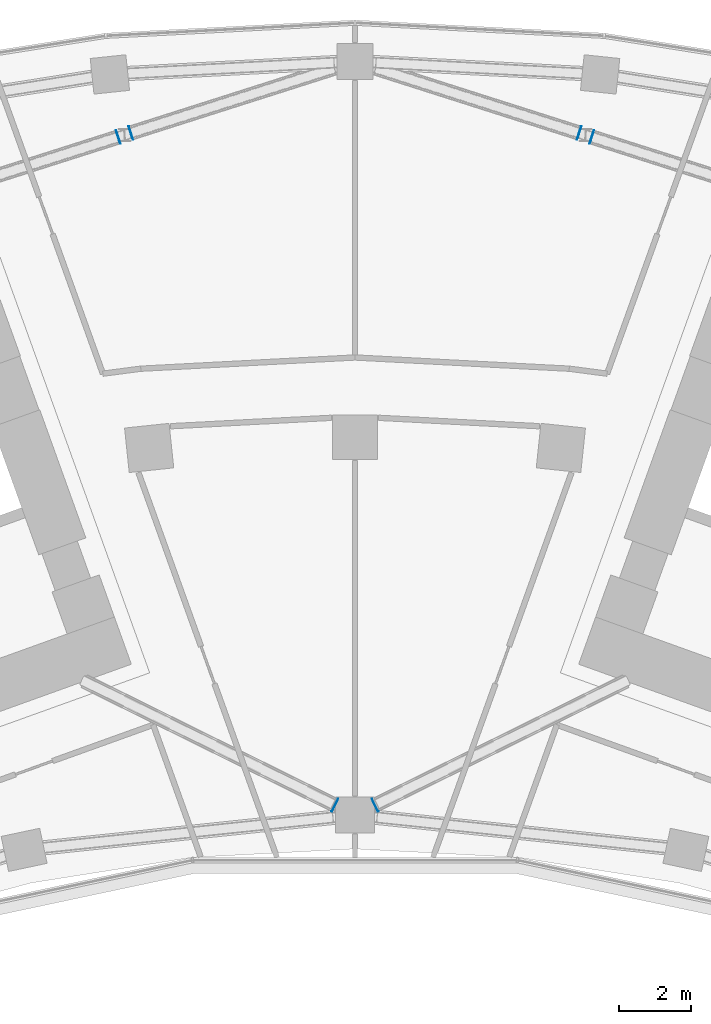
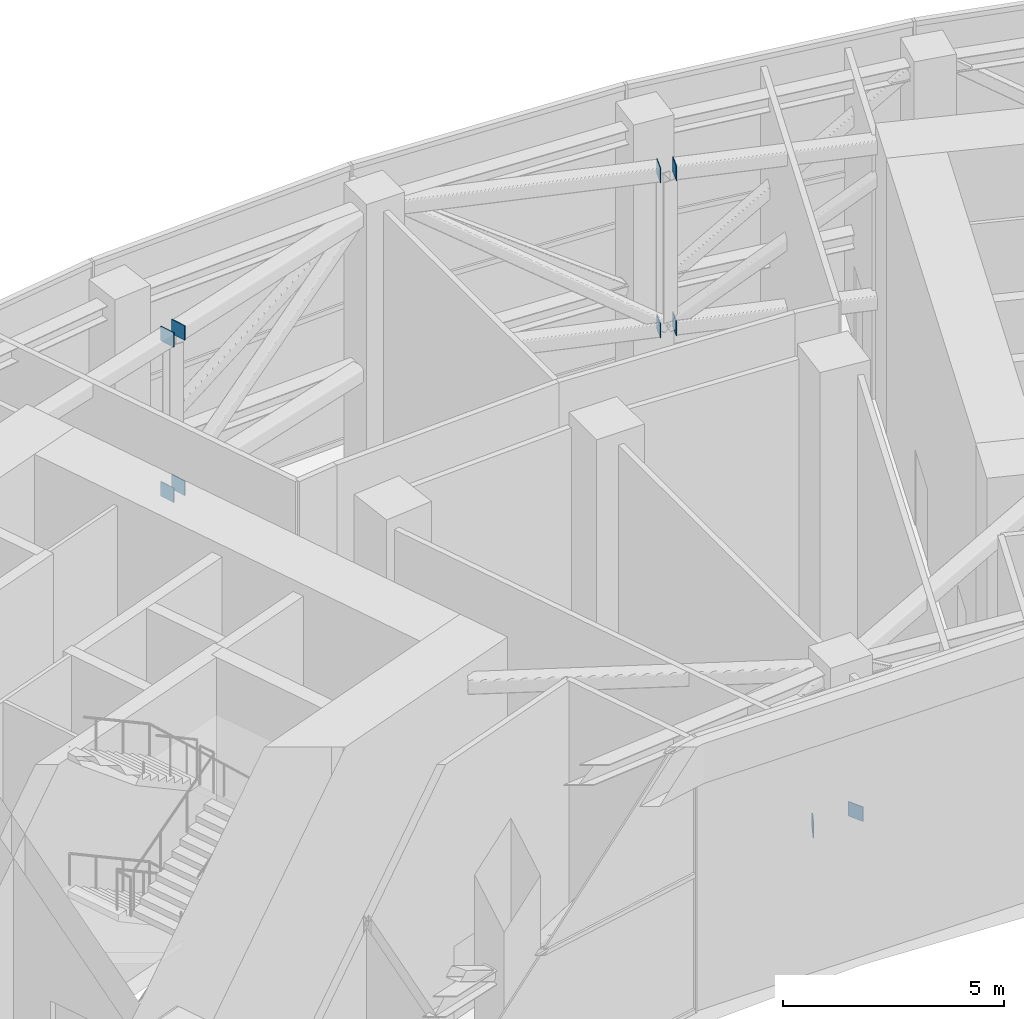
# One storey, part 21 of 32: 10 plates.
"""IFC4 building model written with IfcOpenShell, lengths in metres."""

from ifc_helpers import new_model, si_unit, direction, frame, origin, origin_2d, place, context, subcontext, project, spatial, rectangle, extrude, material, layer, layer_set, type_object, element, save


model = new_model("IFC4")

# Units and contexts
model_context = context("Model", 3, precision=1e-05, world=origin(), true_north=direction((0.0, 1.0)))
body_context = subcontext(model_context, "Body", "Model", "MODEL_VIEW")
ifc_project = project(units=[si_unit("LENGTHUNIT", "METRE"), si_unit("AREAUNIT", "SQUARE_METRE"), si_unit("VOLUMEUNIT", "CUBIC_METRE"), si_unit("PLANEANGLEUNIT", "RADIAN"), si_unit("MASSUNIT", "GRAM", prefix="KILO")], contexts=[model_context])

# Site, building, storey
site_placement = place(None, origin())
site = spatial("IfcSite", under=ifc_project, at=site_placement, CompositionType="ELEMENT")
building_placement = place(site_placement, origin())
building = spatial("IfcBuilding", under=site, at=building_placement, Name="Stone Belt Terrace Tower", CompositionType="ELEMENT")
storey_placement = place(building_placement, frame((0.0, 0.0, 193.39990234375)))
storey = spatial("IfcBuildingStorey", under=building, at=storey_placement, Name="L47", CompositionType="ELEMENT", Elevation=193.39990234375)

# Plates
ifc_material = material(Name="Structural steel C345", Category="steel")
ifc_layer = layer(ifc_material, 0.02001953125)
ifc_layer_set = layer_set([ifc_layer], Name="Chord end plate 20")
plate_type = type_object("IfcPlateType", Name="Chord end plate 20", PredefinedType="SHEET", material=ifc_layer_set)
for number, where, z_axis, x_axis, name in (
    (1, (-0.55908203125, 44.721435546875, 2.60009765625), (0.0, 0.0, 1.0), (0.896377367218, -0.443291795028, 0.0), "Chord end plate"),
    (2, (-6.259765625, 63.494140625, 6.880126953125), (0.0, 0.0, 1.0), (-0.952798819104, -0.303602388518, 0.0), "Chord end plate"),
    (3, (-6.259765625, 63.494140625, 2.60009765625), (0.0, 0.0, 1.0), (-0.952798819104, -0.303602388518, 0.0), "Chord end plate"),
    (4, (-6.6123046875, 63.3818359375, 6.880126953125), (0.0, 0.0, 1.0), (0.952798819104, 0.303602388518, 0.0), "Chord end plate"),
    (5, (-6.6123046875, 63.3818359375, 2.60009765625), (0.0, 0.0, 1.0), (0.952798819104, 0.303602388518, 0.0), "Chord end plate"),
    (6, (0.55908203125, 44.721435546875, 2.60009765625), (0.0, 0.0, 1.0), (-0.896377367218, -0.443291795028, 0.0), "Chord end plate"),
    (7, (6.259765625, 63.494140625, 6.880126953125), (0.0, 0.0, 1.0), (0.952798819104, -0.303602388518, 0.0), "Chord end plate"),
    (8, (6.259765625, 63.494140625, 2.60009765625), (0.0, 0.0, 1.0), (0.952798819104, -0.303602388518, 0.0), "Chord end plate"),
    (9, (6.6123046875, 63.3818359375, 6.880126953125), (0.0, 0.0, 1.0), (-0.952798819104, 0.303602388518, 0.0), "Chord end plate"),
    (10, (6.6123046875, 63.3818359375, 2.60009765625), (0.0, 0.0, 1.0), (-0.952798819104, 0.303602388518, 0.0), "Chord end plate"),
):
    element("IfcPlate", number, at=place(storey_placement, frame(where, z_axis=z_axis, x_axis=x_axis)), inside=storey, type_object=plate_type, Name=name, PredefinedType="SHEET", context=body_context, shape_type="SweptSolid", body=[
        extrude(rectangle(XDim=0.02001953125, YDim=0.39990234375, at=origin_2d()), origin(), (0.0, 0.0, 1.0), 0.39990234375),
    ])

save(model, "model.ifc")
